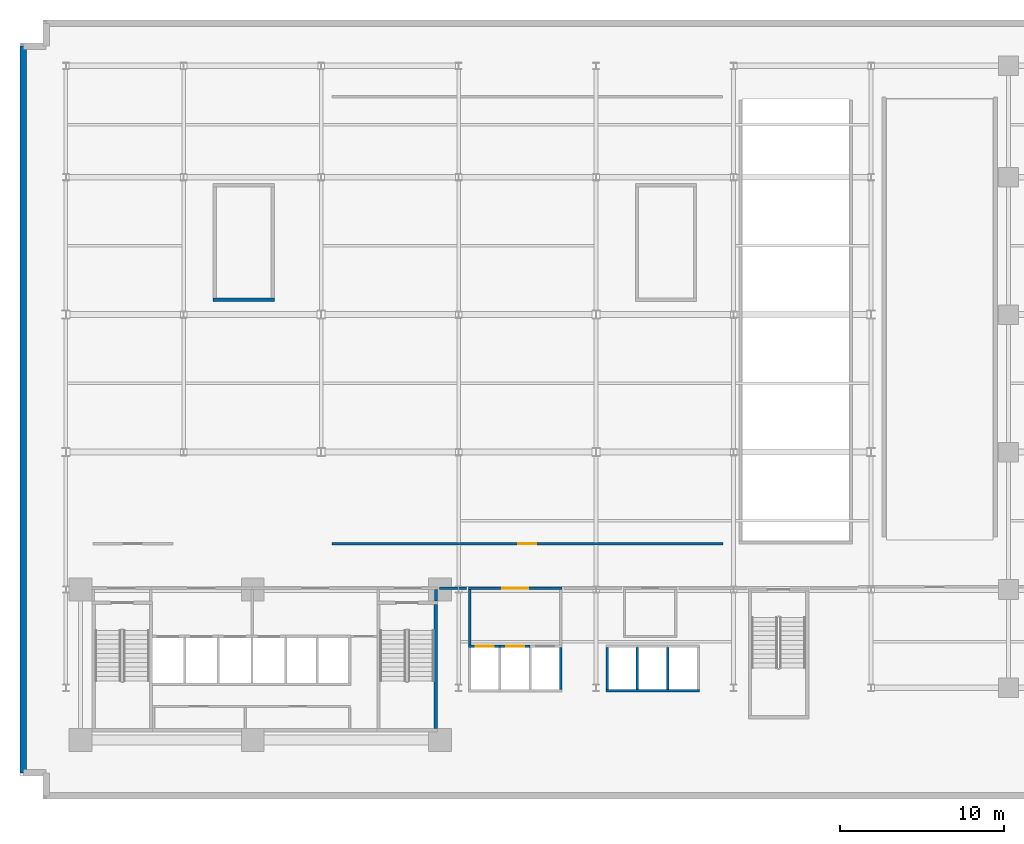
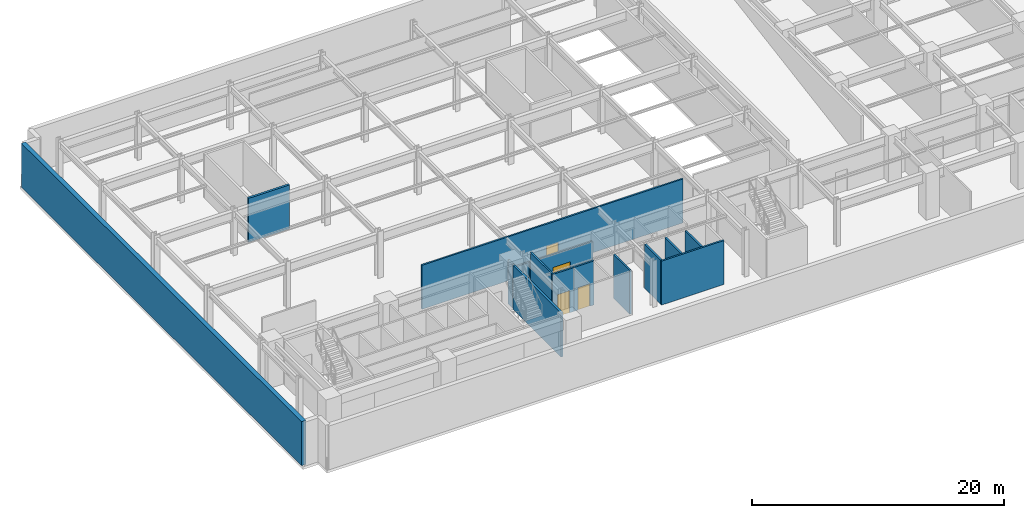
# One storey, part 7 of 14: 15 walls, 4 doors, 4 openings.
"""IFC4 building model written with IfcOpenShell, lengths in metres."""

from ifc_helpers import new_model, si_unit, direction, frame, frame_2d, origin, place, context, subcontext, project, spatial, rectangle, extrude, material, layer, layer_set, type_object, element, fill, save


model = new_model("IFC4")

# Units and contexts
model_context = context("Model", 3, precision=1e-05, world=origin(), true_north=direction((0.0, 1.0)))
body_context = subcontext(model_context, "Body", "Model", "MODEL_VIEW")
ifc_project = project(units=[si_unit("LENGTHUNIT", "METRE"), si_unit("AREAUNIT", "SQUARE_METRE"), si_unit("VOLUMEUNIT", "CUBIC_METRE"), si_unit("PLANEANGLEUNIT", "RADIAN"), si_unit("MASSUNIT", "GRAM", prefix="KILO")], contexts=[model_context])

# Site, building, storey
site_placement = place(None, origin())
site = spatial("IfcSite", under=ifc_project, at=site_placement, CompositionType="ELEMENT")
building_placement = place(site_placement, origin())
building = spatial("IfcBuilding", under=site, at=building_placement, Name="Varnakote Quay Hospital", CompositionType="ELEMENT")
storey_placement = place(building_placement, frame((0.0, 0.0, -4.5)))
storey = spatial("IfcBuildingStorey", under=building, at=storey_placement, Name="B01", CompositionType="ELEMENT", Elevation=-4.5)

# Walls
ifc_material_1 = material(Name="Concrete N40 (f'c 40 MPa)", Category="concrete")
ifc_layer_1 = layer(ifc_material_1, 0.39990234375)
ifc_layer_set_1 = layer_set([ifc_layer_1], Name="Concrete N40 (f'c 40 MPa)")
wall_type_1 = type_object("IfcWallType", Name="WL-BSMT-RET-400", PredefinedType="STANDARD", material=ifc_layer_set_1)
wall_1_placement = place(storey_placement, frame((-1.39990234375, 45.199951171875, 0.0), z_axis=(0.0, 0.0, 1.0), x_axis=(0.0, -1.0, 0.0)))
element("IfcWall", 1, at=wall_1_placement, inside=storey, type_object=wall_type_1, Name="B01 Tanked Basement Retaining Wall", PredefinedType="STANDARD", context=body_context, shape_type="SweptSolid", body=[
    extrude(rectangle(XDim=44.39990234375, YDim=0.39990234375, at=frame_2d((22.199951171875, 0.0))), origin(), (0.0, 0.0, 1.0), 4.25),
])
ifc_material_2 = material(Name="Fire-rated acoustic gypsum stud wall", Category="gypsum")
ifc_layer_2 = layer(ifc_material_2, 0.159912109375)
ifc_layer_set_2 = layer_set([ifc_layer_2], Name="Fire-rated acoustic gypsum stud wall")
wall_type_2 = type_object("IfcWallType", Name="WL-COMP-160", PredefinedType="PARTITIONING", material=ifc_layer_set_2)
wall_2_placement = place(storey_placement, frame((23.820068359375, 11.300048828125, 0.0), z_axis=(0.0, 0.0, 1.0), x_axis=(0.0, 1.0, 0.0)))
element("IfcWall", 2, at=wall_2_placement, inside=storey, type_object=wall_type_2, Name="B01 East Stair Vestibule East Wall", PredefinedType="PARTITIONING", context=body_context, shape_type="SweptSolid", body=[
    extrude(rectangle(XDim=0.699951171875, YDim=0.159912109375, at=frame_2d((0.35009765625, 0.0))), origin(), (0.0, 0.0, 1.0), 4.25),
])
wall_3_placement = place(storey_placement, frame((25.8701171875, 8.610107421875, 0.0), z_axis=(0.0, 0.0, 1.0), x_axis=(0.0, 1.0, 0.0)))
element("IfcWall", 3, at=wall_3_placement, inside=storey, type_object=wall_type_2, Name="B01 Low-Rise Lift Lobby West Wall", PredefinedType="PARTITIONING", context=body_context, shape_type="SweptSolid", body=[
    extrude(rectangle(XDim=3.389892578125, YDim=0.159912109375, at=frame_2d((1.69482421875, 0.0))), origin(), (0.0, 0.0, 1.0), 4.25),
])

# Wall, opening, door
wall_4_placement = place(storey_placement, frame((25.7900390625, 12.080078125, 0.0), z_axis=(0.0, 0.0, 1.0), x_axis=(1.0, 0.0, 0.0)))
wall_4 = element("IfcWall", 4, at=wall_4_placement, inside=storey, type_object=wall_type_2, Name="B01 Low-Rise Lift Lobby North Wall", PredefinedType="PARTITIONING", context=body_context, shape_type="SweptSolid", body=[
    extrude(rectangle(XDim=5.719970703125, YDim=0.159912109375, at=frame_2d((2.85986328125, 0.0))), origin(), (0.0, 0.0, 1.0), 3.31494140625),
])
opening_1_placement = place(wall_4_placement, frame((2.06005859375, 0.0, 0.0)))
opening_1 = element("IfcOpeningElement", 5, at=opening_1_placement, cuts=wall_4, Name="Opening D-PLL-B01", PredefinedType="OPENING", context=body_context, shape_type="SweptSolid", body=[
    extrude(rectangle(XDim=1.60009765625, YDim=2.050048828125, at=frame_2d((0.800048828125, 1.02490234375))), frame((0.0, 0.08984375, 0.0), z_axis=(0.0, -1.0, 0.0), x_axis=(1.0, 0.0, 0.0)), (0.0, 0.0, 1.0), 0.179931640625),
])
ifc_material_3 = material(Name="Fire-rated double smoke lobby door")
door_type_1 = type_object("IfcDoorType", Name="DR-LOBBY-FD60S-1600x2150", OperationType="NOTDEFINED", PredefinedType="DOOR", material=ifc_material_3)
door_1_placement = place(opening_1_placement, origin())
door_1 = element("IfcDoor", 6, at=door_1_placement, inside=storey, type_object=door_type_1, Name="B01 Low-Rise Passenger Concourse Vestibule Door", OperationType="DOUBLE_DOOR_SINGLE_SWING", OverallHeight=2.050048828125, OverallWidth=1.60009765625, PredefinedType="DOOR", context=body_context, shape_type="SweptSolid", body=[
    extrude(rectangle(XDim=1.60009765625, YDim=2.050048828125, at=frame_2d((0.800048828125, 1.02490234375))), frame((0.0, 0.02490234375, 0.0), z_axis=(0.0, -1.0, 0.0), x_axis=(1.0, 0.0, 0.0)), (0.0, 0.0, 1.0), 0.050048828125),
])
fill(opening_1, door_1)

# Walls
wall_5_placement = place(storey_placement, frame((24.02001953125, 12.080078125, 0.0), z_axis=(0.0, 0.0, 1.0), x_axis=(1.0, 0.0, 0.0)))
element("IfcWall", 7, at=wall_5_placement, inside=storey, type_object=wall_type_2, Name="B01 Corridor South Gap Wall", PredefinedType="PARTITIONING", context=body_context, shape_type="SweptSolid", body=[
    extrude(rectangle(XDim=1.64990234375, YDim=0.159912109375, at=frame_2d((0.824951171875, 0.0))), origin(), (0.0, 0.0, 1.0), 3.31494140625),
])
ifc_material_4 = material(Name="Concrete N50 (f'c 50 MPa)", Category="concrete")
ifc_layer_3 = layer(ifc_material_4, 0.14990234375)
ifc_layer_set_3 = layer_set([ifc_layer_3], Name="Concrete N50 (f'c 50 MPa)")
wall_type_3 = type_object("IfcWallType", Name="WL-SHAFT-N50-150", PredefinedType="SHEAR", material=ifc_layer_set_3)
for number, where, z_axis, x_axis, name in (
    (8, (36.125, 5.89990234375, 0.0), (0.0, 0.0, 1.0), (0.0, 1.0, 0.0), "B01 LF-PM1 Hoistway Divider Wall"),
    (9, (37.97509765625, 5.89990234375, 0.0), (0.0, 0.0, 1.0), (0.0, 1.0, 0.0), "B01 LF-PM2 Hoistway Divider Wall"),
):
    element("IfcWall", number, at=place(storey_placement, frame(where, z_axis=z_axis, x_axis=x_axis)), inside=storey, type_object=wall_type_3, Name=name, PredefinedType="SHEAR", context=body_context, shape_type="SweptSolid", body=[
        extrude(rectangle(XDim=2.550048828125, YDim=0.14990234375, at=frame_2d((1.27490234375, 0.0))), origin(), (0.0, 0.0, 1.0), 4.25),
    ])
ifc_material_5 = material(Name="Concrete N50 (f'c 50 MPa)", Category="concrete")
ifc_layer_4 = layer(ifc_material_5, 0.159912109375)
ifc_layer_set_4 = layer_set([ifc_layer_4], Name="Concrete N50 (f'c 50 MPa)")
wall_type_4 = type_object("IfcWallType", Name="WL-SHAFT-N50-160", PredefinedType="SHEAR", material=ifc_layer_set_4)
wall_6_placement = place(storey_placement, frame((31.429931640625, 5.89990234375, 0.0), z_axis=(0.0, 0.0, 1.0), x_axis=(0.0, 1.0, 0.0)))
element("IfcWall", 10, at=wall_6_placement, inside=storey, type_object=wall_type_4, Name="B01 LOW Lift Bank East Shear Wall", PredefinedType="SHEAR", context=body_context, shape_type="SweptSolid", body=[
    extrude(rectangle(XDim=2.550048828125, YDim=0.159912109375, at=frame_2d((1.27490234375, 0.0))), origin(), (0.0, 0.0, 1.0), 4.25),
])

# Wall, opening, door
wall_7_placement = place(storey_placement, frame((25.7900390625, 8.530029296875, 0.0), z_axis=(0.0, 0.0, 1.0), x_axis=(1.0, 0.0, 0.0)))
wall_7 = element("IfcWall", 11, at=wall_7_placement, inside=storey, type_object=wall_type_4, Name="B01 LF-PL1 Hoistway Front Wall", PredefinedType="SHEAR", context=body_context, shape_type="SweptSolid", body=[
    extrude(rectangle(XDim=1.93505859375, YDim=0.159912109375, at=frame_2d((0.967529296875, 0.0))), origin(), (0.0, 0.0, 1.0), 4.25),
])
opening_2_placement = place(wall_7_placement, frame((0.4599609375, 0.0, 0.0)))
opening_2 = element("IfcOpeningElement", 12, at=opening_2_placement, cuts=wall_7, Name="Opening LD-PL1-B01", PredefinedType="OPENING", context=body_context, shape_type="SweptSolid", body=[
    extrude(rectangle(XDim=1.10009765625, YDim=2.14990234375, at=frame_2d((0.550048828125, 1.074951171875))), frame((0.0, 0.08984375, 0.0), z_axis=(0.0, -1.0, 0.0), x_axis=(1.0, 0.0, 0.0)), (0.0, 0.0, 1.0), 0.179931640625),
])
ifc_material_6 = material(Name="Brushed bronze lift landing sliding door")
door_type_2 = type_object("IfcDoorType", Name="DR-LIFT-LD-1100x2150", OperationType="NOTDEFINED", PredefinedType="DOOR", material=ifc_material_6)
door_2_placement = place(opening_2_placement, origin())
door_2 = element("IfcDoor", 13, at=door_2_placement, inside=storey, type_object=door_type_2, Name="B01 LF-PL1 Lift Landing Sliding Door", OperationType="SLIDING_TO_LEFT", OverallHeight=2.14990234375, OverallWidth=1.10009765625, PredefinedType="DOOR", context=body_context, shape_type="SweptSolid", body=[
    extrude(rectangle(XDim=1.10009765625, YDim=2.14990234375, at=frame_2d((0.550048828125, 1.074951171875))), frame((0.0, 0.02490234375, 0.0), z_axis=(0.0, -1.0, 0.0), x_axis=(1.0, 0.0, 0.0)), (0.0, 0.0, 1.0), 0.050048828125),
])
fill(opening_2, door_2)

wall_8_placement = place(storey_placement, frame((27.72509765625, 8.530029296875, 0.0), z_axis=(0.0, 0.0, 1.0), x_axis=(1.0, 0.0, 0.0)))
wall_8 = element("IfcWall", 14, at=wall_8_placement, inside=storey, type_object=wall_type_4, Name="B01 LF-PL2 Hoistway Front Wall", PredefinedType="SHEAR", context=body_context, shape_type="SweptSolid", body=[
    extrude(rectangle(XDim=1.849853515625, YDim=0.159912109375, at=frame_2d((0.9248046875, 0.0))), origin(), (0.0, 0.0, 1.0), 4.25),
])
opening_3_placement = place(wall_8_placement, frame((0.375, 0.0, 0.0)))
opening_3 = element("IfcOpeningElement", 15, at=opening_3_placement, cuts=wall_8, Name="Opening LD-PL2-B01", PredefinedType="OPENING", context=body_context, shape_type="SweptSolid", body=[
    extrude(rectangle(XDim=1.10009765625, YDim=2.14990234375, at=frame_2d((0.550048828125, 1.074951171875))), frame((0.0, 0.08984375, 0.0), z_axis=(0.0, -1.0, 0.0), x_axis=(1.0, 0.0, 0.0)), (0.0, 0.0, 1.0), 0.179931640625),
])
door_3_placement = place(opening_3_placement, origin())
door_3 = element("IfcDoor", 16, at=door_3_placement, inside=storey, type_object=door_type_2, Name="B01 LF-PL2 Lift Landing Sliding Door", OperationType="SLIDING_TO_LEFT", OverallHeight=2.14990234375, OverallWidth=1.10009765625, PredefinedType="DOOR", context=body_context, shape_type="SweptSolid", body=[
    extrude(rectangle(XDim=1.10009765625, YDim=2.14990234375, at=frame_2d((0.550048828125, 1.074951171875))), frame((0.0, 0.02490234375, 0.0), z_axis=(0.0, -1.0, 0.0), x_axis=(1.0, 0.0, 0.0)), (0.0, 0.0, 1.0), 0.050048828125),
])
fill(opening_3, door_3)

# Walls
wall_9_placement = place(storey_placement, frame((34.18994140625, 5.820068359375, 0.0), z_axis=(0.0, 0.0, 1.0), x_axis=(1.0, 0.0, 0.0)))
element("IfcWall", 17, at=wall_9_placement, inside=storey, type_object=wall_type_4, Name="B01 MID Lift Bank Back Shear Wall", PredefinedType="SHEAR", context=body_context, shape_type="SweptSolid", body=[
    extrude(rectangle(XDim=5.719970703125, YDim=0.159912109375, at=frame_2d((2.85986328125, 0.0))), origin(), (0.0, 0.0, 1.0), 4.25),
])
wall_10_placement = place(storey_placement, frame((34.27001953125, 5.89990234375, 0.0), z_axis=(0.0, 0.0, 1.0), x_axis=(0.0, 1.0, 0.0)))
element("IfcWall", 18, at=wall_10_placement, inside=storey, type_object=wall_type_4, Name="B01 MID Lift Bank West Shear Wall", PredefinedType="SHEAR", context=body_context, shape_type="SweptSolid", body=[
    extrude(rectangle(XDim=2.550048828125, YDim=0.159912109375, at=frame_2d((1.27490234375, 0.0))), origin(), (0.0, 0.0, 1.0), 4.25),
])
ifc_material_7 = material(Name="Concrete N50 (f'c 50 MPa)", Category="concrete")
ifc_layer_5 = layer(ifc_material_7, 0.199951171875)
ifc_layer_set_5 = layer_set([ifc_layer_5], Name="Concrete N50 (f'c 50 MPa)")
wall_type_5 = type_object("IfcWallType", Name="WL-SHAFT-N50-200", PredefinedType="SHEAR", material=ifc_layer_set_5)
wall_11_placement = place(storey_placement, frame((23.800048828125, 3.5, 0.0), z_axis=(0.0, 0.0, 1.0), x_axis=(0.0, 1.0, 0.0)))
element("IfcWall", 19, at=wall_11_placement, inside=storey, type_object=wall_type_5, Name="B01 Stair ST2 East Shaft Wall", PredefinedType="SHEAR", context=body_context, shape_type="SweptSolid", body=[
    extrude(rectangle(XDim=7.60009765625, YDim=0.199951171875, at=frame_2d((3.800048828125, 0.0))), origin(), (0.0, 0.0, 1.0), 4.25),
])
wall_12_placement = place(storey_placement, frame((10.199951171875, 29.699951171875, 0.0), z_axis=(0.0, 0.0, 1.0), x_axis=(1.0, 0.0, 0.0)))
element("IfcWall", 20, at=wall_12_placement, inside=storey, type_object=wall_type_5, Name="B01 Stair ST4 South Shaft Wall", PredefinedType="SHEAR", context=body_context, shape_type="SweptSolid", body=[
    extrude(rectangle(XDim=3.739990234375, YDim=0.199951171875, at=frame_2d((1.8701171875, 0.0))), origin(), (0.0, 0.0, 1.0), 4.25),
])

# Wall, opening, door
ifc_material_8 = material(Name="Fire-rated clinical gypsum partition", Category="gypsum")
ifc_layer_6 = layer(ifc_material_8, 0.14990234375)
ifc_layer_set_6 = layer_set([ifc_layer_6], Name="Fire-rated clinical gypsum partition")
wall_type_6 = type_object("IfcWallType", Name="WL-WARD-150", PredefinedType="PARTITIONING", material=ifc_layer_set_6)
wall_13_placement = place(storey_placement, frame((41.344482421875, 14.800048828125, 0.0), z_axis=(0.0, 0.0, 1.0), x_axis=(-1.0, 0.0, 0.0)))
wall_13 = element("IfcWall", 21, at=wall_13_placement, inside=storey, type_object=wall_type_6, Name="B01 Clinical Interior Partition", PredefinedType="PARTITIONING", context=body_context, shape_type="SweptSolid", body=[
    extrude(rectangle(XDim=23.88916015625, YDim=0.14990234375, at=frame_2d((11.944580078125, 0.0))), origin(), (0.0, 0.0, 1.0), 4.25),
])
opening_4_placement = place(wall_13_placement, frame((11.39453125, 0.0, 0.0)))
opening_4 = element("IfcOpeningElement", 22, at=opening_4_placement, cuts=wall_13, Name="Opening D-B01-PKN", PredefinedType="OPENING", context=body_context, shape_type="SweptSolid", body=[
    extrude(rectangle(XDim=1.10009765625, YDim=2.10009765625, at=frame_2d((0.550048828125, 1.050048828125))), frame((0.0, 0.0849609375, 0.0), z_axis=(0.0, -1.0, 0.0), x_axis=(1.0, 0.0, 0.0)), (0.0, 0.0, 1.0), 0.169921875),
])
ifc_material_9 = material(Name="Acoustic timber clinical consult door", Category="wood")
door_type_3 = type_object("IfcDoorType", Name="DR-CLIN-FD30S-1100x2100", OperationType="NOTDEFINED", PredefinedType="DOOR", material=ifc_material_9)
door_4_placement = place(opening_4_placement, origin())
door_4 = element("IfcDoor", 23, at=door_4_placement, inside=storey, type_object=door_type_3, Name="B01 North Car Park Bays & Accessible Parking Door", OperationType="SINGLE_SWING_LEFT", OverallHeight=2.10009765625, OverallWidth=1.10009765625, PredefinedType="DOOR", context=body_context, shape_type="SweptSolid", body=[
    extrude(rectangle(XDim=1.10009765625, YDim=2.10009765625, at=frame_2d((0.550048828125, 1.050048828125))), frame((0.0, 0.02490234375, 0.0), z_axis=(0.0, -1.0, 0.0), x_axis=(1.0, 0.0, 0.0)), (0.0, 0.0, 1.0), 0.050048828125),
])
fill(opening_4, door_4)

save(model, "model.ifc")
